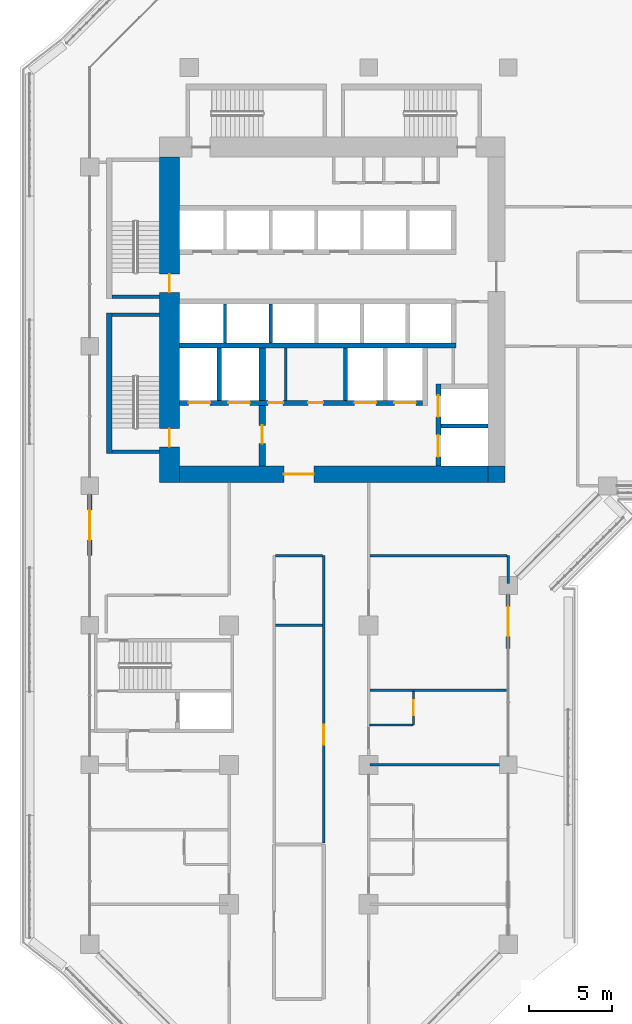
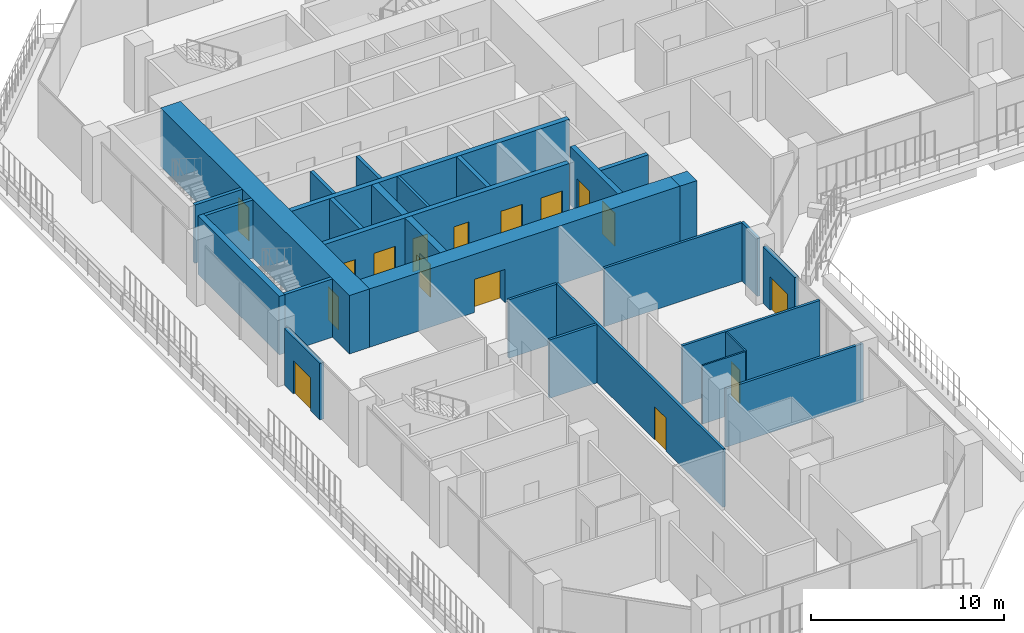
# One storey, part 12 of 23: 29 walls, 16 doors, 16 openings.
"""IFC4 building model written with IfcOpenShell, lengths in metres."""

import ifcopenshell
import ifcopenshell.guid

model = None  # the IFC model being written
_history = None  # IfcOwnerHistory: only IFC2X3 demands one
_inside = {}  # id of a spatial element -> (the spatial element, [elements in it])
_under = {}  # id of a project, library or spatial element -> (it, [spatial elements below it])
_declared = {}  # id of a project -> (the project, [libraries it declares])
_typed = {}  # id of a type object -> (the type object, [elements of that type])
_made_of = {}  # id of a material, layer set ... -> (it, [elements and type objects made of it])


def new_model(schema):
    """Start an empty IFC model of exactly this schema.

    Asked for "IFC4X3", IfcOpenShell would pick the latest addendum, in which some entities
    have other attributes; the version numbers below select the first issue.
    IFC2X3 requires an IfcOwnerHistory on every rooted entity: one is made here for all.
    """
    global model, _history
    if schema == "IFC4X3":
        model = ifcopenshell.file(schema_version=(4, 3, 0, 0))
    else:
        model = ifcopenshell.file(schema=schema)
    _inside.clear()
    _under.clear()
    _declared.clear()
    _typed.clear()
    _made_of.clear()
    _history = None
    if model.schema == "IFC2X3":
        org = make("IfcOrganization", Name="unknown")
        user = make(
            "IfcPersonAndOrganization",
            ThePerson=make("IfcPerson", FamilyName="unknown"),
            TheOrganization=org,
        )
        app = make(
            "IfcApplication",
            ApplicationDeveloper=org,
            Version="unknown",
            ApplicationFullName="unknown",
            ApplicationIdentifier="unknown",
        )
        _history = make(
            "IfcOwnerHistory",
            OwningUser=user,
            OwningApplication=app,
            ChangeAction="ADDED",
            CreationDate=0,
        )
    return model


def make(cls, **values):
    """One entity of the class cls with the attributes given. An attribute that is None is left unset."""
    return model.create_entity(
        cls, **{name: value for name, value in values.items() if value is not None}
    )


def rooted(cls, **values):
    """An entity with a GlobalId (a new one), such as an element, a storey or a relation."""
    return make(cls, GlobalId=ifcopenshell.guid.new(), OwnerHistory=_history, **values)


def si_unit(unit_type, name, prefix=None):
    """IfcSIUnit, for example si_unit("LENGTHUNIT", "METRE", prefix="MILLI")."""
    return make("IfcSIUnit", UnitType=unit_type, Prefix=prefix, Name=name)


def assignment(units):
    """IfcUnitAssignment: the units of a project."""
    return None if units is None else make("IfcUnitAssignment", Units=units)


def point(xyz):
    """IfcCartesianPoint."""
    return None if xyz is None else make("IfcCartesianPoint", Coordinates=xyz)


def direction(xyz):
    """IfcDirection."""
    return None if xyz is None else make("IfcDirection", DirectionRatios=xyz)


def frame(location, z_axis=None, x_axis=None):
    """IfcAxis2Placement3D, a coordinate frame: its origin and axes. An axis left out is left unset."""
    return make(
        "IfcAxis2Placement3D",
        Location=point(location),
        Axis=direction(z_axis),
        RefDirection=direction(x_axis),
    )


def frame_2d(location, x_axis=None):
    """IfcAxis2Placement2D, a coordinate frame in the plane: its origin and x axis."""
    return make(
        "IfcAxis2Placement2D", Location=point(location), RefDirection=direction(x_axis)
    )


def origin():
    """The frame at (0, 0, 0) with its axes left unset."""
    return frame((0.0, 0.0, 0.0))


def place(relative_to, where):
    """IfcLocalPlacement: puts the frame where relative to a parent placement (None: the world)."""
    return make(
        "IfcLocalPlacement", PlacementRelTo=relative_to, RelativePlacement=where
    )


def context(
    kind, dimensions, precision=None, world=None, true_north=None, identifier=None
):
    """IfcGeometricRepresentationContext, for example the 3D "Model" context."""
    return make(
        "IfcGeometricRepresentationContext",
        ContextIdentifier=identifier,
        ContextType=kind,
        CoordinateSpaceDimension=dimensions,
        Precision=precision,
        WorldCoordinateSystem=world,
        TrueNorth=true_north,
    )


def subcontext(parent, identifier, kind, view, scale=None):
    """IfcGeometricRepresentationSubContext, for example "Body" below "Model"."""
    return make(
        "IfcGeometricRepresentationSubContext",
        ContextIdentifier=identifier,
        ContextType=kind,
        ParentContext=parent,
        TargetScale=scale,
        TargetView=view,
    )


def project(units=None, contexts=None):
    """IfcProject with its units and contexts."""
    return rooted(
        "IfcProject",
        Name="project",
        RepresentationContexts=contexts,
        UnitsInContext=assignment(units),
    )


def spatial(cls, under=None, at=None, **own):
    """A site, building, storey or space (cls), placed at a placement, below another one or the project."""
    s = rooted(cls, ObjectPlacement=at, **own)
    if under is not None:
        _under.setdefault(under.id(), (under, []))[1].append(s)
    return s


def profile(cls, at=None, kind="AREA", **sizes):
    """A parametric profile (cls). Its sizes go by their IFC names, for example OverallWidth=200.0."""
    return make(cls, ProfileType=kind, Position=at, **sizes)


def rectangle(**sizes):
    """IfcRectangleProfileDef."""
    return profile("IfcRectangleProfileDef", **sizes)


def extrude(swept, where, along, depth):
    """IfcExtrudedAreaSolid: the profile swept, set in the frame where, extruded along a direction by depth."""
    return make(
        "IfcExtrudedAreaSolid",
        SweptArea=swept,
        Position=where,
        ExtrudedDirection=direction(along),
        Depth=depth,
    )


def shape(context_of_items, identifier, shape_type, items):
    """IfcShapeRepresentation: the items that make up one representation, for example the "Body"."""
    return make(
        "IfcShapeRepresentation",
        ContextOfItems=context_of_items,
        RepresentationIdentifier=identifier,
        RepresentationType=shape_type,
        Items=items,
    )


def material(Name=None, Category=None):
    """IfcMaterial."""
    return make("IfcMaterial", Name=Name, Category=Category)


def layer(
    of_material, thickness, ventilated=None, Name=None, Category=None, Priority=None
):
    """IfcMaterialLayer: one layer of a wall or slab, of a material (None: an air gap)."""
    return make(
        "IfcMaterialLayer",
        Material=of_material,
        LayerThickness=thickness,
        IsVentilated=ventilated,
        Name=Name,
        Category=Category,
        Priority=Priority,
    )


def layer_set(layers, Name=None):
    """IfcMaterialLayerSet."""
    return make("IfcMaterialLayerSet", MaterialLayers=layers, LayerSetName=Name)


def made_of(thing, what):
    """Note that an element or type object is made of a material, layer set ...; save() writes the relation."""
    if what is not None:
        _made_of.setdefault(what.id(), (what, []))[1].append(thing)
    return thing


def type_object(cls, material=None, **own):
    """A type object (cls), such as IfcWallType, which elements share."""
    return made_of(rooted(cls, **own), material)


def element(
    cls,
    number,
    at=None,
    inside=None,
    cuts=None,
    type_object=None,
    material=None,
    context=None,
    identifier="Body",
    shape_type=None,
    held_by="IfcProductDefinitionShape",
    body=None,
    shapes=None,
    **own,
):
    """One element of the class cls, such as IfcWall. Its Tag is "e" and its number.

    at: its placement. inside: the storey or other place that contains it. cuts: it is an
    opening in that element (IfcRelVoidsElement). A single representation is given by context,
    identifier, shape_type and body (its items); several are given by shapes. held_by: the class
    of the entity that holds the representations. save() writes the other relations.
    """
    e = rooted(cls, Tag="e%d" % number, ObjectPlacement=at, **own)
    if body is not None:
        shapes = [shape(context, identifier, shape_type, body)]
    if shapes is not None:
        e.Representation = make(held_by, Representations=shapes)
    if inside is not None:
        _inside.setdefault(inside.id(), (inside, []))[1].append(e)
    if cuts is not None:
        rooted(
            "IfcRelVoidsElement", RelatingBuildingElement=cuts, RelatedOpeningElement=e
        )
    if type_object is not None:
        _typed.setdefault(type_object.id(), (type_object, []))[1].append(e)
    return made_of(e, material)


def fill(opening, filler):
    """IfcRelFillsElement: the door or window that sits in an opening."""
    return rooted(
        "IfcRelFillsElement",
        RelatingOpeningElement=opening,
        RelatedBuildingElement=filler,
    )


def aggregate(whole, parts):
    """IfcRelAggregates: a whole, such as a stair, and the parts it consists of."""
    return rooted("IfcRelAggregates", RelatingObject=whole, RelatedObjects=parts)


def save(model, path):
    """Write the relations noted so far, then the file.

    IfcRelAggregates (storeys below a building ...), IfcRelContainedInSpatialStructure (elements
    in a storey), IfcRelDefinesByType, IfcRelAssociatesMaterial and IfcRelDeclares: one each for
    every whole, place, type object, material and project.
    """
    for whole, parts in _under.values():
        aggregate(whole, parts)
    for where, things in _inside.values():
        rooted(
            "IfcRelContainedInSpatialStructure",
            RelatedElements=things,
            RelatingStructure=where,
        )
    for kind, things in _typed.values():
        rooted("IfcRelDefinesByType", RelatedObjects=things, RelatingType=kind)
    for what, things in _made_of.values():
        rooted("IfcRelAssociatesMaterial", RelatedObjects=things, RelatingMaterial=what)
    for by, libraries in _declared.values():
        rooted("IfcRelDeclares", RelatingContext=by, RelatedDefinitions=libraries)
    model.write(path)


model = new_model("IFC4")

# Units and contexts
model_context = context("Model", 3, precision=1e-05, world=origin(), true_north=direction((0.0, 1.0)))
body_context = subcontext(model_context, "Body", "Model", "MODEL_VIEW")
ifc_project = project(units=[si_unit("LENGTHUNIT", "METRE"), si_unit("AREAUNIT", "SQUARE_METRE"), si_unit("VOLUMEUNIT", "CUBIC_METRE"), si_unit("PLANEANGLEUNIT", "RADIAN"), si_unit("MASSUNIT", "GRAM", prefix="KILO")], contexts=[model_context])

# Site, building, storey
site_placement = place(None, origin())
site = spatial("IfcSite", under=ifc_project, at=site_placement, CompositionType="ELEMENT")
building_placement = place(site_placement, origin())
building = spatial("IfcBuilding", under=site, at=building_placement, Name="Kawkab Arch Medical Tower", CompositionType="ELEMENT")
storey_placement = place(building_placement, frame((0.0, 0.0, 149.199951171875)))
storey = spatial("IfcBuildingStorey", under=building, at=storey_placement, Name="L34", CompositionType="ELEMENT", Elevation=149.199951171875)

# Wall, opening, door
ifc_material_1 = material(Name="Concrete C60/75", Category="concrete")
ifc_layer_1 = layer(ifc_material_1, 1.0)
ifc_layer_set_1 = layer_set([ifc_layer_1], Name="Concrete C60/75")
wall_type_1 = type_object("IfcWallType", Name="Core ring wall 1000 C60/75", PredefinedType="SHEAR", material=ifc_layer_set_1)
wall_1_placement = place(storey_placement, frame((5.39990234375, -24.5, 0.0), z_axis=(0.0, 0.0, 1.0), x_axis=(1.0, 0.0, 0.0)))
wall_1 = element("IfcWall", 1, at=wall_1_placement, inside=storey, type_object=wall_type_1, Name="L34 core wall", PredefinedType="SHEAR", context=body_context, shape_type="SweptSolid", body=[
    extrude(rectangle(XDim=18.60009765625, YDim=1.0, at=frame_2d((9.300048828125, 0.0))), origin(), (0.0, 0.0, 1.0), 3.699951171875),
])
opening_1_placement = place(wall_1_placement, frame((6.300048828125, 0.0, 0.0)))
opening_1 = element("IfcOpeningElement", 2, at=opening_1_placement, cuts=wall_1, Name="Opening PD", PredefinedType="OPENING", context=body_context, shape_type="SweptSolid", body=[
    extrude(rectangle(XDim=1.800048828125, YDim=2.10009765625, at=frame_2d((0.89990234375, 1.050048828125))), frame((0.0, 0.510009765625, 0.0), z_axis=(0.0, -1.0, 0.0), x_axis=(1.0, 0.0, 0.0)), (0.0, 0.0, 1.0), 1.02001953125),
])
ifc_material_2 = material(Name="Hollow metal fire door leaf")
door_type_1 = type_object("IfcDoorType", Name="Core entrance doors 1800", OperationType="DOUBLE_DOOR_SINGLE_SWING", PredefinedType="DOOR", material=ifc_material_2)
door_1_placement = place(opening_1_placement, origin())
door_1 = element("IfcDoor", 3, at=door_1_placement, inside=storey, type_object=door_type_1, Name="L34 South entrance doors", OperationType="DOUBLE_DOOR_SINGLE_SWING", OverallHeight=2.10009765625, OverallWidth=1.800048828125, PredefinedType="DOOR", context=body_context, shape_type="SweptSolid", body=[
    extrude(rectangle(XDim=1.800048828125, YDim=2.10009765625, at=frame_2d((0.89990234375, 1.050048828125))), frame((0.0, 0.02490234375, 0.0), z_axis=(0.0, -1.0, 0.0), x_axis=(1.0, 0.0, 0.0)), (0.0, 0.0, 1.0), 0.050048828125),
])
fill(opening_1, door_1)

# Wall
wall_2_placement = place(storey_placement, frame((24.5, -25.0, 0.0), z_axis=(0.0, 0.0, 1.0), x_axis=(0.0, 1.0, 0.0)))
element("IfcWall", 4, at=wall_2_placement, inside=storey, type_object=wall_type_1, Name="L34 core wall", PredefinedType="SHEAR", context=body_context, shape_type="SweptSolid", body=[
    extrude(rectangle(XDim=1.0, YDim=1.0, at=frame_2d((0.5, 0.0))), origin(), (0.0, 0.0, 1.0), 3.699951171875),
])

# Wall, openings, doors
ifc_material_3 = material(Name="Concrete C60/75", Category="concrete")
ifc_layer_2 = layer(ifc_material_3, 1.199951171875)
ifc_layer_set_2 = layer_set([ifc_layer_2], Name="Concrete C60/75")
wall_type_2 = type_object("IfcWallType", Name="Core ring wall 1200 C60/75", PredefinedType="SHEAR", material=ifc_layer_set_2)
wall_3_placement = place(storey_placement, frame((4.800048828125, -25.0, 0.0), z_axis=(0.0, 0.0, 1.0), x_axis=(0.0, 1.0, 0.0)))
wall_3 = element("IfcWall", 5, at=wall_3_placement, inside=storey, type_object=wall_type_2, Name="L34 core wall", PredefinedType="SHEAR", context=body_context, shape_type="SweptSolid", body=[
    extrude(rectangle(XDim=19.60009765625, YDim=1.199951171875, at=frame_2d((9.800048828125, 0.0))), origin(), (0.0, 0.0, 1.0), 3.699951171875),
])
opening_2_placement = place(wall_3_placement, frame((11.449951171875, 0.0, 0.0)))
opening_2 = element("IfcOpeningElement", 6, at=opening_2_placement, cuts=wall_3, Name="Opening SD", PredefinedType="OPENING", context=body_context, shape_type="SweptSolid", body=[
    extrude(rectangle(XDim=1.10009765625, YDim=2.10009765625, at=frame_2d((0.550048828125, 1.050048828125))), frame((0.0, 0.60986328125, 0.0), z_axis=(0.0, -1.0, 0.0), x_axis=(1.0, 0.0, 0.0)), (0.0, 0.0, 1.0), 1.219970703125),
])
opening_3_placement = place(wall_3_placement, frame((2.14990234375, 0.0, 0.0)))
opening_3 = element("IfcOpeningElement", 7, at=opening_3_placement, cuts=wall_3, Name="Opening SD", PredefinedType="OPENING", context=body_context, shape_type="SweptSolid", body=[
    extrude(rectangle(XDim=1.10009765625, YDim=2.10009765625, at=frame_2d((0.550048828125, 1.050048828125))), frame((0.0, 0.60986328125, 0.0), z_axis=(0.0, -1.0, 0.0), x_axis=(1.0, 0.0, 0.0)), (0.0, 0.0, 1.0), 1.219970703125),
])
ifc_material_4 = material(Name="Hollow metal fire door leaf")
door_type_2 = type_object("IfcDoorType", Name="Exit stair door 1100", OperationType="SINGLE_SWING_LEFT", PredefinedType="DOOR", material=ifc_material_4)
door_2_placement = place(opening_2_placement, origin())
door_2 = element("IfcDoor", 8, at=door_2_placement, inside=storey, type_object=door_type_2, Name="L34 Exit stair ST1 door", OperationType="SINGLE_SWING_LEFT", OverallHeight=2.10009765625, OverallWidth=1.10009765625, PredefinedType="DOOR", context=body_context, shape_type="SweptSolid", body=[
    extrude(rectangle(XDim=1.10009765625, YDim=2.10009765625, at=frame_2d((0.550048828125, 1.050048828125))), frame((0.0, 0.02490234375, 0.0), z_axis=(0.0, -1.0, 0.0), x_axis=(1.0, 0.0, 0.0)), (0.0, 0.0, 1.0), 0.050048828125),
])
fill(opening_2, door_2)
door_3_placement = place(opening_3_placement, origin())
door_3 = element("IfcDoor", 9, at=door_3_placement, inside=storey, type_object=door_type_2, Name="L34 Exit stair ST2 door", OperationType="SINGLE_SWING_LEFT", OverallHeight=2.10009765625, OverallWidth=1.10009765625, PredefinedType="DOOR", context=body_context, shape_type="SweptSolid", body=[
    extrude(rectangle(XDim=1.10009765625, YDim=2.10009765625, at=frame_2d((0.550048828125, 1.050048828125))), frame((0.0, 0.02490234375, 0.0), z_axis=(0.0, -1.0, 0.0), x_axis=(1.0, 0.0, 0.0)), (0.0, 0.0, 1.0), 0.050048828125),
])
fill(opening_3, door_3)

# Walls
ifc_material_5 = material(Name="Gypsum board on steel studs", Category="steel")
ifc_layer_3 = layer(ifc_material_5, 0.14990234375)
ifc_layer_set_3 = layer_set([ifc_layer_3], Name="Gypsum board on steel studs")
wall_type_3 = type_object("IfcWallType", Name="Core room partition 150", PredefinedType="PARTITIONING", material=ifc_layer_set_3)
wall_4_placement = place(storey_placement, frame((11.800048828125, -20.050048828125, 0.0), z_axis=(0.0, 0.0, 1.0), x_axis=(0.0, 1.0, 0.0)))
element("IfcWall", 10, at=wall_4_placement, inside=storey, type_object=wall_type_3, Name="L34 core room partition", PredefinedType="PARTITIONING", context=body_context, shape_type="SweptSolid", body=[
    extrude(rectangle(XDim=3.150146484375, YDim=0.14990234375, at=frame_2d((1.5751953125, 0.0))), origin(), (0.0, 0.0, 1.0), 3.699951171875),
])
ifc_material_6 = material(Name="Concrete C60/75", Category="concrete")
ifc_layer_4 = layer(ifc_material_6, 0.25)
ifc_layer_set_4 = layer_set([ifc_layer_4], Name="Concrete C60/75")
wall_type_4 = type_object("IfcWallType", Name="Core shear wall 250 C60/75", PredefinedType="SHEAR", material=ifc_layer_set_4)
wall_5_placement = place(storey_placement, frame((21.14990234375, -21.60009765625, 0.0), z_axis=(0.0, 0.0, 1.0), x_axis=(1.0, 0.0, 0.0)))
element("IfcWall", 11, at=wall_5_placement, inside=storey, type_object=wall_type_4, Name="L34 core shear wall", PredefinedType="SHEAR", context=body_context, shape_type="SweptSolid", body=[
    extrude(rectangle(XDim=2.85009765625, YDim=0.25, at=frame_2d((1.425048828125, 0.0))), origin(), (0.0, 0.0, 1.0), 3.699951171875),
])
for number, where, z_axis, x_axis, name in (
    (12, (7.800048828125, -20.050048828125, 0.0), (0.0, 0.0, 1.0), (0.0, 1.0, 0.0), "L34 core shear wall"),
    (13, (15.39990234375, -20.050048828125, 0.0), (0.0, 0.0, 1.0), (0.0, 1.0, 0.0), "L34 core shear wall"),
):
    element("IfcWall", number, at=place(storey_placement, frame(where, z_axis=z_axis, x_axis=x_axis)), inside=storey, type_object=wall_type_4, Name=name, PredefinedType="SHEAR", context=body_context, shape_type="SweptSolid", body=[
        extrude(rectangle(XDim=3.150146484375, YDim=0.25, at=frame_2d((1.5751953125, 0.0))), origin(), (0.0, 0.0, 1.0), 3.699951171875),
    ])
ifc_material_7 = material(Name="Concrete C60/75", Category="concrete")
ifc_layer_5 = layer(ifc_material_7, 0.300048828125)
ifc_layer_set_5 = layer_set([ifc_layer_5], Name="Concrete C60/75")
wall_type_5 = type_object("IfcWallType", Name="Core shear wall 300 C60/75", PredefinedType="SHEAR", material=ifc_layer_set_5)
wall_6_placement = place(storey_placement, frame((5.39990234375, -16.75, 0.0), z_axis=(0.0, 0.0, 1.0), x_axis=(1.0, 0.0, 0.0)))
element("IfcWall", 14, at=wall_6_placement, inside=storey, type_object=wall_type_5, Name="L34 core shear wall", PredefinedType="SHEAR", context=body_context, shape_type="SweptSolid", body=[
    extrude(rectangle(XDim=16.650146484375, YDim=0.300048828125, at=frame_2d((8.3251953125, 0.0))), origin(), (0.0, 0.0, 1.0), 3.699951171875),
])

# Wall, openings, doors
wall_7_placement = place(storey_placement, frame((5.39990234375, -20.199951171875, 0.0), z_axis=(0.0, 0.0, 1.0), x_axis=(1.0, 0.0, 0.0)))
wall_7 = element("IfcWall", 15, at=wall_7_placement, inside=storey, type_object=wall_type_5, Name="L34 core shear wall", PredefinedType="SHEAR", context=body_context, shape_type="SweptSolid", body=[
    extrude(rectangle(XDim=14.650146484375, YDim=0.300048828125, at=frame_2d((7.3251953125, 0.0))), origin(), (0.0, 0.0, 1.0), 3.699951171875),
])
opening_4_placement = place(wall_7_placement, frame((10.550048828125, 0.0, 0.0)))
opening_4 = element("IfcOpeningElement", 16, at=opening_4_placement, cuts=wall_7, Name="Opening LD2", PredefinedType="OPENING", context=body_context, shape_type="SweptSolid", body=[
    extrude(rectangle(XDim=1.300048828125, YDim=2.10009765625, at=frame_2d((0.64990234375, 1.050048828125))), frame((0.0, 0.159912109375, 0.0), z_axis=(0.0, -1.0, 0.0), x_axis=(1.0, 0.0, 0.0)), (0.0, 0.0, 1.0), 0.320068359375),
])
opening_5_placement = place(wall_7_placement, frame((12.949951171875, 0.0, 0.0)))
opening_5 = element("IfcOpeningElement", 17, at=opening_5_placement, cuts=wall_7, Name="Opening LD2", PredefinedType="OPENING", context=body_context, shape_type="SweptSolid", body=[
    extrude(rectangle(XDim=1.300048828125, YDim=2.10009765625, at=frame_2d((0.64990234375, 1.050048828125))), frame((0.0, 0.159912109375, 0.0), z_axis=(0.0, -1.0, 0.0), x_axis=(1.0, 0.0, 0.0)), (0.0, 0.0, 1.0), 0.320068359375),
])
opening_6_placement = place(wall_7_placement, frame((0.550048828125, 0.0, 0.0)))
opening_6 = element("IfcOpeningElement", 18, at=opening_6_placement, cuts=wall_7, Name="Opening LD2", PredefinedType="OPENING", context=body_context, shape_type="SweptSolid", body=[
    extrude(rectangle(XDim=1.300048828125, YDim=2.10009765625, at=frame_2d((0.64990234375, 1.050048828125))), frame((0.0, 0.159912109375, 0.0), z_axis=(0.0, -1.0, 0.0), x_axis=(1.0, 0.0, 0.0)), (0.0, 0.0, 1.0), 0.320068359375),
])
opening_7_placement = place(wall_7_placement, frame((2.949951171875, 0.0, 0.0)))
opening_7 = element("IfcOpeningElement", 19, at=opening_7_placement, cuts=wall_7, Name="Opening LD2", PredefinedType="OPENING", context=body_context, shape_type="SweptSolid", body=[
    extrude(rectangle(XDim=1.300048828125, YDim=2.10009765625, at=frame_2d((0.64990234375, 1.050048828125))), frame((0.0, 0.159912109375, 0.0), z_axis=(0.0, -1.0, 0.0), x_axis=(1.0, 0.0, 0.0)), (0.0, 0.0, 1.0), 0.320068359375),
])
opening_8_placement = place(wall_7_placement, frame((5.35009765625, 0.0, 0.0)))
opening_8 = element("IfcOpeningElement", 20, at=opening_8_placement, cuts=wall_7, Name="Opening RD", PredefinedType="OPENING", context=body_context, shape_type="SweptSolid", body=[
    extrude(rectangle(XDim=0.89990234375, YDim=2.10009765625, at=frame_2d((0.449951171875, 1.050048828125))), frame((0.0, 0.159912109375, 0.0), z_axis=(0.0, -1.0, 0.0), x_axis=(1.0, 0.0, 0.0)), (0.0, 0.0, 1.0), 0.320068359375),
])
opening_9_placement = place(wall_7_placement, frame((7.75, 0.0, 0.0)))
opening_9 = element("IfcOpeningElement", 21, at=opening_9_placement, cuts=wall_7, Name="Opening RD", PredefinedType="OPENING", context=body_context, shape_type="SweptSolid", body=[
    extrude(rectangle(XDim=0.89990234375, YDim=2.10009765625, at=frame_2d((0.449951171875, 1.050048828125))), frame((0.0, 0.159912109375, 0.0), z_axis=(0.0, -1.0, 0.0), x_axis=(1.0, 0.0, 0.0)), (0.0, 0.0, 1.0), 0.320068359375),
])
ifc_material_8 = material(Name="Hollow metal fire door leaf")
door_type_3 = type_object("IfcDoorType", Name="Core room door 900", OperationType="SINGLE_SWING_LEFT", PredefinedType="DOOR", material=ifc_material_8)
door_4_placement = place(opening_8_placement, origin())
door_4 = element("IfcDoor", 22, at=door_4_placement, inside=storey, type_object=door_type_3, Name="L34 Equipment store door", OperationType="SINGLE_SWING_LEFT", OverallHeight=2.10009765625, OverallWidth=0.89990234375, PredefinedType="DOOR", context=body_context, shape_type="SweptSolid", body=[
    extrude(rectangle(XDim=0.89990234375, YDim=2.10009765625, at=frame_2d((0.449951171875, 1.050048828125))), frame((0.0, 0.02490234375, 0.0), z_axis=(0.0, -1.0, 0.0), x_axis=(1.0, 0.0, 0.0)), (0.0, 0.0, 1.0), 0.050048828125),
])
fill(opening_8, door_4)
door_5_placement = place(opening_9_placement, origin())
door_5 = element("IfcDoor", 23, at=door_5_placement, inside=storey, type_object=door_type_3, Name="L34 Medication store door", OperationType="SINGLE_SWING_LEFT", OverallHeight=2.10009765625, OverallWidth=0.89990234375, PredefinedType="DOOR", context=body_context, shape_type="SweptSolid", body=[
    extrude(rectangle(XDim=0.89990234375, YDim=2.10009765625, at=frame_2d((0.449951171875, 1.050048828125))), frame((0.0, 0.02490234375, 0.0), z_axis=(0.0, -1.0, 0.0), x_axis=(1.0, 0.0, 0.0)), (0.0, 0.0, 1.0), 0.050048828125),
])
fill(opening_9, door_5)
ifc_material_9 = material(Name="Stainless steel lift door leaf", Category="steel")
door_type_4 = type_object("IfcDoorType", Name="Lift landing door 1300", OperationType="DOUBLE_DOOR_SLIDING", PredefinedType="DOOR", material=ifc_material_9)
door_6_placement = place(opening_4_placement, origin())
door_6 = element("IfcDoor", 24, at=door_6_placement, inside=storey, type_object=door_type_4, Name="L34 Lift landing door BD3", OperationType="DOUBLE_DOOR_SLIDING", OverallHeight=2.10009765625, OverallWidth=1.300048828125, PredefinedType="DOOR", context=body_context, shape_type="SweptSolid", body=[
    extrude(rectangle(XDim=1.300048828125, YDim=2.10009765625, at=frame_2d((0.64990234375, 1.050048828125))), frame((0.0, 0.02490234375, 0.0), z_axis=(0.0, -1.0, 0.0), x_axis=(1.0, 0.0, 0.0)), (0.0, 0.0, 1.0), 0.050048828125),
])
fill(opening_4, door_6)
door_7_placement = place(opening_5_placement, origin())
door_7 = element("IfcDoor", 25, at=door_7_placement, inside=storey, type_object=door_type_4, Name="L34 Lift landing door BD4", OperationType="DOUBLE_DOOR_SLIDING", OverallHeight=2.10009765625, OverallWidth=1.300048828125, PredefinedType="DOOR", context=body_context, shape_type="SweptSolid", body=[
    extrude(rectangle(XDim=1.300048828125, YDim=2.10009765625, at=frame_2d((0.64990234375, 1.050048828125))), frame((0.0, 0.02490234375, 0.0), z_axis=(0.0, -1.0, 0.0), x_axis=(1.0, 0.0, 0.0)), (0.0, 0.0, 1.0), 0.050048828125),
])
fill(opening_5, door_7)
door_8_placement = place(opening_6_placement, origin())
door_8 = element("IfcDoor", 26, at=door_8_placement, inside=storey, type_object=door_type_4, Name="L34 Lift landing door FL1", OperationType="DOUBLE_DOOR_SLIDING", OverallHeight=2.10009765625, OverallWidth=1.300048828125, PredefinedType="DOOR", context=body_context, shape_type="SweptSolid", body=[
    extrude(rectangle(XDim=1.300048828125, YDim=2.10009765625, at=frame_2d((0.64990234375, 1.050048828125))), frame((0.0, 0.02490234375, 0.0), z_axis=(0.0, -1.0, 0.0), x_axis=(1.0, 0.0, 0.0)), (0.0, 0.0, 1.0), 0.050048828125),
])
fill(opening_6, door_8)
door_9_placement = place(opening_7_placement, origin())
door_9 = element("IfcDoor", 27, at=door_9_placement, inside=storey, type_object=door_type_4, Name="L34 Lift landing door FL2", OperationType="DOUBLE_DOOR_SLIDING", OverallHeight=2.10009765625, OverallWidth=1.300048828125, PredefinedType="DOOR", context=body_context, shape_type="SweptSolid", body=[
    extrude(rectangle(XDim=1.300048828125, YDim=2.10009765625, at=frame_2d((0.64990234375, 1.050048828125))), frame((0.0, 0.02490234375, 0.0), z_axis=(0.0, -1.0, 0.0), x_axis=(1.0, 0.0, 0.0)), (0.0, 0.0, 1.0), 0.050048828125),
])
fill(opening_7, door_9)

wall_8_placement = place(storey_placement, frame((21.0, -24.0, 0.0), z_axis=(0.0, 0.0, 1.0), x_axis=(0.0, 1.0, 0.0)))
wall_8 = element("IfcWall", 28, at=wall_8_placement, inside=storey, type_object=wall_type_5, Name="L34 core shear wall", PredefinedType="SHEAR", context=body_context, shape_type="SweptSolid", body=[
    extrude(rectangle(XDim=4.949951171875, YDim=0.300048828125, at=frame_2d((2.47509765625, 0.0))), origin(), (0.0, 0.0, 1.0), 3.699951171875),
])
opening_10_placement = place(wall_8_placement, frame((2.949951171875, 0.0, 0.0)))
opening_10 = element("IfcOpeningElement", 29, at=opening_10_placement, cuts=wall_8, Name="Opening LD2", PredefinedType="OPENING", context=body_context, shape_type="SweptSolid", body=[
    extrude(rectangle(XDim=1.300048828125, YDim=2.10009765625, at=frame_2d((0.64990234375, 1.050048828125))), frame((0.0, 0.159912109375, 0.0), z_axis=(0.0, -1.0, 0.0), x_axis=(1.0, 0.0, 0.0)), (0.0, 0.0, 1.0), 0.320068359375),
])
opening_11_placement = place(wall_8_placement, frame((0.550048828125, 0.0, 0.0)))
opening_11 = element("IfcOpeningElement", 30, at=opening_11_placement, cuts=wall_8, Name="Opening LD2", PredefinedType="OPENING", context=body_context, shape_type="SweptSolid", body=[
    extrude(rectangle(XDim=1.300048828125, YDim=2.10009765625, at=frame_2d((0.64990234375, 1.050048828125))), frame((0.0, 0.159912109375, 0.0), z_axis=(0.0, -1.0, 0.0), x_axis=(1.0, 0.0, 0.0)), (0.0, 0.0, 1.0), 0.320068359375),
])
door_10_placement = place(opening_10_placement, origin())
door_10 = element("IfcDoor", 31, at=door_10_placement, inside=storey, type_object=door_type_4, Name="L34 Lift landing door BD1", OperationType="DOUBLE_DOOR_SLIDING", OverallHeight=2.10009765625, OverallWidth=1.300048828125, PredefinedType="DOOR", context=body_context, shape_type="SweptSolid", body=[
    extrude(rectangle(XDim=1.300048828125, YDim=2.10009765625, at=frame_2d((0.64990234375, 1.050048828125))), frame((0.0, 0.02490234375, 0.0), z_axis=(0.0, -1.0, 0.0), x_axis=(1.0, 0.0, 0.0)), (0.0, 0.0, 1.0), 0.050048828125),
])
fill(opening_10, door_10)
door_11_placement = place(opening_11_placement, origin())
door_11 = element("IfcDoor", 32, at=door_11_placement, inside=storey, type_object=door_type_4, Name="L34 Lift landing door BD2", OperationType="DOUBLE_DOOR_SLIDING", OverallHeight=2.10009765625, OverallWidth=1.300048828125, PredefinedType="DOOR", context=body_context, shape_type="SweptSolid", body=[
    extrude(rectangle(XDim=1.300048828125, YDim=2.10009765625, at=frame_2d((0.64990234375, 1.050048828125))), frame((0.0, 0.02490234375, 0.0), z_axis=(0.0, -1.0, 0.0), x_axis=(1.0, 0.0, 0.0)), (0.0, 0.0, 1.0), 0.050048828125),
])
fill(opening_11, door_11)

# Wall, opening, door
ifc_material_10 = material(Name="Concrete C60/75", Category="concrete")
ifc_layer_6 = layer(ifc_material_10, 0.39990234375)
ifc_layer_set_6 = layer_set([ifc_layer_6], Name="Concrete C60/75")
wall_type_6 = type_object("IfcWallType", Name="Core shear wall 400 C60/75", PredefinedType="SHEAR", material=ifc_layer_set_6)
wall_9_placement = place(storey_placement, frame((10.39990234375, -24.0, 0.0), z_axis=(0.0, 0.0, 1.0), x_axis=(0.0, 1.0, 0.0)))
wall_9 = element("IfcWall", 33, at=wall_9_placement, inside=storey, type_object=wall_type_6, Name="L34 core shear wall", PredefinedType="SHEAR", context=body_context, shape_type="SweptSolid", body=[
    extrude(rectangle(XDim=3.64990234375, YDim=0.39990234375, at=frame_2d((1.824951171875, 0.0))), origin(), (0.0, 0.0, 1.0), 3.699951171875),
])
opening_12_placement = place(wall_9_placement, frame((1.35009765625, 0.0, 0.0)))
opening_12 = element("IfcOpeningElement", 34, at=opening_12_placement, cuts=wall_9, Name="Opening FD", PredefinedType="OPENING", context=body_context, shape_type="SweptSolid", body=[
    extrude(rectangle(XDim=1.10009765625, YDim=2.10009765625, at=frame_2d((0.550048828125, 1.050048828125))), frame((0.0, 0.2099609375, 0.0), z_axis=(0.0, -1.0, 0.0), x_axis=(1.0, 0.0, 0.0)), (0.0, 0.0, 1.0), 0.419921875),
])
ifc_material_11 = material(Name="Hollow metal fire door leaf")
door_type_5 = type_object("IfcDoorType", Name="Firefighting lobby door 1100", OperationType="SINGLE_SWING_LEFT", PredefinedType="DOOR", material=ifc_material_11)
door_12_placement = place(opening_12_placement, origin())
door_12 = element("IfcDoor", 35, at=door_12_placement, inside=storey, type_object=door_type_5, Name="L34 Firefighting lobby door", OperationType="SINGLE_SWING_LEFT", OverallHeight=2.10009765625, OverallWidth=1.10009765625, PredefinedType="DOOR", context=body_context, shape_type="SweptSolid", body=[
    extrude(rectangle(XDim=1.10009765625, YDim=2.10009765625, at=frame_2d((0.550048828125, 1.050048828125))), frame((0.0, 0.02490234375, 0.0), z_axis=(0.0, -1.0, 0.0), x_axis=(1.0, 0.0, 0.0)), (0.0, 0.0, 1.0), 0.050048828125),
])
fill(opening_12, door_12)

# Wall
wall_10_placement = place(storey_placement, frame((10.39990234375, -20.050048828125, 0.0), z_axis=(0.0, 0.0, 1.0), x_axis=(0.0, 1.0, 0.0)))
element("IfcWall", 36, at=wall_10_placement, inside=storey, type_object=wall_type_6, Name="L34 core shear wall", PredefinedType="SHEAR", context=body_context, shape_type="SweptSolid", body=[
    extrude(rectangle(XDim=3.150146484375, YDim=0.39990234375, at=frame_2d((1.5751953125, 0.0))), origin(), (0.0, 0.0, 1.0), 3.699951171875),
])

# Wall, opening, door
ifc_material_12 = material(Name="Bronze clad insulated wall panel")
ifc_layer_7 = layer(ifc_material_12, 0.25)
ifc_layer_set_7 = layer_set([ifc_layer_7], Name="Bronze clad insulated wall panel")
wall_type_7 = type_object("IfcWallType", Name="External wall bay 250", PredefinedType="SOLIDWALL", material=ifc_layer_set_7)
wall_11_placement = place(storey_placement, frame((0.0, -25.72509765625, 0.0), z_axis=(0.0, 0.0, 1.0), x_axis=(0.0, -1.0, 0.0)))
wall_11 = element("IfcWall", 37, at=wall_11_placement, inside=storey, type_object=wall_type_7, Name="External wall bay L34.R01.4.1", PredefinedType="SOLIDWALL", context=body_context, shape_type="SweptSolid", body=[
    extrude(rectangle(XDim=3.6748046875, YDim=0.25, at=frame_2d((1.83740234375, 0.0))), origin(), (0.0, 0.0, 1.0), 3.580078125),
])
opening_13_placement = place(wall_11_placement, frame((0.9375, 0.0, 0.0)))
opening_13 = element("IfcOpeningElement", 38, at=opening_13_placement, cuts=wall_11, Name="Opening W29-701", PredefinedType="OPENING", context=body_context, shape_type="SweptSolid", body=[
    extrude(rectangle(XDim=1.800048828125, YDim=2.10009765625, at=frame_2d((0.89990234375, 1.050048828125))), frame((0.0, 0.135009765625, 0.0), z_axis=(0.0, -1.0, 0.0), x_axis=(1.0, 0.0, 0.0)), (0.0, 0.0, 1.0), 0.27001953125),
])
ifc_material_13 = material(Name="Bronze anodised aluminium door with tinted glass", Category="aluminium")
door_type_6 = type_object("IfcDoorType", Name="Double external door 1800 x 2100", OperationType="DOUBLE_DOOR_SINGLE_SWING", PredefinedType="DOOR", material=ifc_material_13)
door_13_placement = place(opening_13_placement, origin())
door_13 = element("IfcDoor", 39, at=door_13_placement, inside=storey, type_object=door_type_6, Name="External door L34.R01.4.1", OperationType="DOUBLE_DOOR_SINGLE_SWING", OverallHeight=2.10009765625, OverallWidth=1.800048828125, PredefinedType="DOOR", context=body_context, shape_type="SweptSolid", body=[
    extrude(rectangle(XDim=1.800048828125, YDim=2.10009765625, at=frame_2d((0.89990234375, 1.050048828125))), frame((0.0, 0.02490234375, 0.0), z_axis=(0.0, -1.0, 0.0), x_axis=(1.0, 0.0, 0.0)), (0.0, 0.0, 1.0), 0.050048828125),
])
fill(opening_13, door_13)

wall_12_placement = place(storey_placement, frame((25.199951171875, -34.99169921875, 0.0), z_axis=(0.0, 0.0, 1.0), x_axis=(0.0, 1.0, 0.0)))
wall_12 = element("IfcWall", 40, at=wall_12_placement, inside=storey, type_object=wall_type_7, Name="External wall bay L34.R05.2.3", PredefinedType="SOLIDWALL", context=body_context, shape_type="SweptSolid", body=[
    extrude(rectangle(XDim=3.24169921875, YDim=0.25, at=frame_2d((1.620849609375, 0.0))), origin(), (0.0, 0.0, 1.0), 3.580078125),
])
opening_14_placement = place(wall_12_placement, frame((0.720703125, 0.0, 0.0)))
opening_14 = element("IfcOpeningElement", 41, at=opening_14_placement, cuts=wall_12, Name="Opening W29-701", PredefinedType="OPENING", context=body_context, shape_type="SweptSolid", body=[
    extrude(rectangle(XDim=1.800048828125, YDim=2.10009765625, at=frame_2d((0.89990234375, 1.050048828125))), frame((0.0, 0.135009765625, 0.0), z_axis=(0.0, -1.0, 0.0), x_axis=(1.0, 0.0, 0.0)), (0.0, 0.0, 1.0), 0.27001953125),
])
door_14_placement = place(opening_14_placement, origin())
door_14 = element("IfcDoor", 42, at=door_14_placement, inside=storey, type_object=door_type_6, Name="External door L34.R05.2.3", OperationType="DOUBLE_DOOR_SINGLE_SWING", OverallHeight=2.10009765625, OverallWidth=1.800048828125, PredefinedType="DOOR", context=body_context, shape_type="SweptSolid", body=[
    extrude(rectangle(XDim=1.800048828125, YDim=2.10009765625, at=frame_2d((0.89990234375, 1.050048828125))), frame((0.0, 0.02490234375, 0.0), z_axis=(0.0, -1.0, 0.0), x_axis=(1.0, 0.0, 0.0)), (0.0, 0.0, 1.0), 0.050048828125),
])
fill(opening_14, door_14)

# Walls
ifc_material_14 = material(Name="Dense concrete blockwork", Category="masonry")
ifc_layer_8 = layer(ifc_material_14, 0.199951171875)
ifc_layer_set_8 = layer_set([ifc_layer_8], Name="Dense concrete blockwork")
wall_type_8 = type_object("IfcWallType", Name="Lift shaft partition 200", PredefinedType="PARTITIONING", material=ifc_layer_set_8)
for number, where, z_axis, x_axis, name in (
    (43, (8.14990234375, -16.60009765625, 0.0), (0.0, 0.0, 1.0), (0.0, 1.0, 0.0), "L34 lift shaft partition"),
    (44, (10.89990234375, -16.60009765625, 0.0), (0.0, 0.0, 1.0), (0.0, 1.0, 0.0), "L34 lift shaft partition"),
):
    element("IfcWall", number, at=place(storey_placement, frame(where, z_axis=z_axis, x_axis=x_axis)), inside=storey, type_object=wall_type_8, Name=name, PredefinedType="PARTITIONING", context=body_context, shape_type="SweptSolid", body=[
        extrude(rectangle(XDim=2.35009765625, YDim=0.199951171875, at=frame_2d((1.175048828125, 0.0))), origin(), (0.0, 0.0, 1.0), 3.699951171875),
    ])
ifc_material_15 = material(Name="Gypsum board partition on steel studs", Category="steel")
ifc_layer_9 = layer(ifc_material_15, 0.10009765625)
ifc_layer_set_9 = layer_set([ifc_layer_9], Name="Gypsum board partition on steel studs")
wall_type_9 = type_object("IfcWallType", Name="Partition 100", PredefinedType="PARTITIONING", material=ifc_layer_set_9)
wall_13_placement = place(storey_placement, frame((16.875, -39.60009765625, 0.0), z_axis=(0.0, 0.0, 1.0), x_axis=(1.0, 0.0, 0.0)))
element("IfcWall", 45, at=wall_13_placement, inside=storey, type_object=wall_type_9, Name="Partition 100 w004", PredefinedType="PARTITIONING", context=body_context, shape_type="SweptSolid", body=[
    extrude(rectangle(XDim=2.574951171875, YDim=0.10009765625, at=frame_2d((1.28759765625, 0.0))), origin(), (0.0, 0.0, 1.0), 3.699951171875),
])

# Wall, opening, door
wall_14_placement = place(storey_placement, frame((19.5, -39.60009765625, 0.0), z_axis=(0.0, 0.0, 1.0), x_axis=(0.0, 1.0, 0.0)))
wall_14 = element("IfcWall", 46, at=wall_14_placement, inside=storey, type_object=wall_type_9, Name="Partition 100 w013", PredefinedType="PARTITIONING", context=body_context, shape_type="SweptSolid", body=[
    extrude(rectangle(XDim=2.025146484375, YDim=0.10009765625, at=frame_2d((1.0126953125, 0.0))), origin(), (0.0, 0.0, 1.0), 3.699951171875),
])
opening_15_placement = place(wall_14_placement, frame((0.60009765625, 0.0, 0.0)))
opening_15 = element("IfcOpeningElement", 47, at=opening_15_placement, cuts=wall_14, Name="Opening W29-020", PredefinedType="OPENING", context=body_context, shape_type="SweptSolid", body=[
    extrude(rectangle(XDim=0.89990234375, YDim=2.10009765625, at=frame_2d((0.449951171875, 1.050048828125))), frame((0.0, 0.06005859375, 0.0), z_axis=(0.0, -1.0, 0.0), x_axis=(1.0, 0.0, 0.0)), (0.0, 0.0, 1.0), 0.1201171875),
])
ifc_material_16 = material(Name="Timber door leaf", Category="wood")
door_type_7 = type_object("IfcDoorType", Name="Single door 900x2100", OperationType="NOTDEFINED", PredefinedType="DOOR", material=ifc_material_16)
door_15_placement = place(opening_15_placement, origin())
door_15 = element("IfcDoor", 48, at=door_15_placement, inside=storey, type_object=door_type_7, Name="Door W29-020", OperationType="SINGLE_SWING_LEFT", OverallHeight=2.10009765625, OverallWidth=0.89990234375, PredefinedType="DOOR", context=body_context, shape_type="SweptSolid", body=[
    extrude(rectangle(XDim=0.89990234375, YDim=2.10009765625, at=frame_2d((0.449951171875, 1.050048828125))), frame((0.0, 0.02490234375, 0.0), z_axis=(0.0, -1.0, 0.0), x_axis=(1.0, 0.0, 0.0)), (0.0, 0.0, 1.0), 0.050048828125),
])
fill(opening_15, door_15)

# Walls
ifc_material_17 = material(Name="Gypsum board partition on steel studs, mineral wool", Category="steel")
ifc_layer_10 = layer(ifc_material_17, 0.14990234375)
ifc_layer_set_10 = layer_set([ifc_layer_10], Name="Gypsum board partition on steel studs, mineral wool")
wall_type_10 = type_object("IfcWallType", Name="Partition 150", PredefinedType="PARTITIONING", material=ifc_layer_set_10)
for number, where, z_axis, x_axis, name in (
    (49, (16.875, -42.0, 0.0), (0.0, 0.0, 1.0), (1.0, 0.0, 0.0), "Partition 150 w028"),
    (50, (16.875, -37.5, 0.0), (0.0, 0.0, 1.0), (1.0, 0.0, 0.0), "Partition 150 w030"),
):
    element("IfcWall", number, at=place(storey_placement, frame(where, z_axis=z_axis, x_axis=x_axis)), inside=storey, type_object=wall_type_10, Name=name, PredefinedType="PARTITIONING", context=body_context, shape_type="SweptSolid", body=[
        extrude(rectangle(XDim=8.2451171875, YDim=0.14990234375, at=frame_2d((4.12255859375, 0.0))), origin(), (0.0, 0.0, 1.0), 3.699951171875),
    ])
for number, where, z_axis, x_axis, name in (
    (51, (11.175048828125, -33.60009765625, 0.0), (0.0, 0.0, 1.0), (1.0, 0.0, 0.0), "Partition 150 w031"),
    (52, (11.175048828125, -29.39990234375, 0.0), (0.0, 0.0, 1.0), (1.0, 0.0, 0.0), "Partition 150 w033"),
):
    element("IfcWall", number, at=place(storey_placement, frame(where, z_axis=z_axis, x_axis=x_axis)), inside=storey, type_object=wall_type_10, Name=name, PredefinedType="PARTITIONING", context=body_context, shape_type="SweptSolid", body=[
        extrude(rectangle(XDim=2.849853515625, YDim=0.14990234375, at=frame_2d((1.4248046875, 0.0))), origin(), (0.0, 0.0, 1.0), 3.699951171875),
    ])
wall_15_placement = place(storey_placement, frame((16.875, -29.39990234375, 0.0), z_axis=(0.0, 0.0, 1.0), x_axis=(1.0, 0.0, 0.0)))
element("IfcWall", 53, at=wall_15_placement, inside=storey, type_object=wall_type_10, Name="Partition 150 w034", PredefinedType="PARTITIONING", context=body_context, shape_type="SweptSolid", body=[
    extrude(rectangle(XDim=8.25, YDim=0.14990234375, at=frame_2d((4.125, 0.0))), origin(), (0.0, 0.0, 1.0), 3.699951171875),
])

# Wall, opening, door
wall_16_placement = place(storey_placement, frame((14.10009765625, -46.699951171875, 0.0), z_axis=(0.0, 0.0, 1.0), x_axis=(0.0, 1.0, 0.0)))
wall_16 = element("IfcWall", 54, at=wall_16_placement, inside=storey, type_object=wall_type_10, Name="Partition 150 w056", PredefinedType="PARTITIONING", context=body_context, shape_type="SweptSolid", body=[
    extrude(rectangle(XDim=17.300048828125, YDim=0.14990234375, at=frame_2d((8.64990234375, 0.0))), origin(), (0.0, 0.0, 1.0), 3.699951171875),
])
opening_16_placement = place(wall_16_placement, frame((5.89990234375, 0.0, 0.0)))
opening_16 = element("IfcOpeningElement", 55, at=opening_16_placement, cuts=wall_16, Name="Opening W29-045", PredefinedType="OPENING", context=body_context, shape_type="SweptSolid", body=[
    extrude(rectangle(XDim=1.199951171875, YDim=2.10009765625, at=frame_2d((0.60009765625, 1.050048828125))), frame((0.0, 0.0849609375, 0.0), z_axis=(0.0, -1.0, 0.0), x_axis=(1.0, 0.0, 0.0)), (0.0, 0.0, 1.0), 0.169921875),
])
ifc_material_18 = material(Name="Hollow metal door leaf")
door_type_8 = type_object("IfcDoorType", Name="Single door 1200x2100 FD30S", OperationType="NOTDEFINED", PredefinedType="DOOR", material=ifc_material_18)
door_16_placement = place(opening_16_placement, origin())
door_16 = element("IfcDoor", 56, at=door_16_placement, inside=storey, type_object=door_type_8, Name="Door W29-045", OperationType="SINGLE_SWING_LEFT", OverallHeight=2.10009765625, OverallWidth=1.199951171875, PredefinedType="DOOR", context=body_context, shape_type="SweptSolid", body=[
    extrude(rectangle(XDim=1.199951171875, YDim=2.10009765625, at=frame_2d((0.60009765625, 1.050048828125))), frame((0.0, 0.02490234375, 0.0), z_axis=(0.0, -1.0, 0.0), x_axis=(1.0, 0.0, 0.0)), (0.0, 0.0, 1.0), 0.050048828125),
])
fill(opening_16, door_16)

# Walls
wall_17_placement = place(storey_placement, frame((25.199951171875, -31.0869140625, 0.0), z_axis=(0.0, 0.0, 1.0), x_axis=(0.0, 1.0, 0.0)))
element("IfcWall", 57, at=wall_17_placement, inside=storey, type_object=wall_type_10, Name="Partition 150 w058", PredefinedType="PARTITIONING", context=body_context, shape_type="SweptSolid", body=[
    extrude(rectangle(XDim=1.68701171875, YDim=0.14990234375, at=frame_2d((0.843505859375, 0.0))), origin(), (0.0, 0.0, 1.0), 3.699951171875),
])
ifc_material_19 = material(Name="Concrete C50/60", Category="concrete")
ifc_layer_11 = layer(ifc_material_19, 0.199951171875)
ifc_layer_set_11 = layer_set([ifc_layer_11], Name="Concrete C50/60")
wall_type_11 = type_object("IfcWallType", Name="Stair enclosure wall 200 C50/60", PredefinedType="SHEAR", material=ifc_layer_set_11)
for number, where, z_axis, x_axis, name in (
    (58, (1.35009765625, -13.800048828125, 0.0), (0.0, 0.0, 1.0), (1.0, 0.0, 0.0), "L34 stair enclosure wall"),
    (59, (1.35009765625, -14.89990234375, 0.0), (0.0, 0.0, 1.0), (1.0, 0.0, 0.0), "L34 stair enclosure wall"),
    (60, (1.35009765625, -23.14990234375, 0.0), (0.0, 0.0, 1.0), (1.0, 0.0, 0.0), "L34 stair enclosure wall"),
):
    element("IfcWall", number, at=place(storey_placement, frame(where, z_axis=z_axis, x_axis=x_axis)), inside=storey, type_object=wall_type_11, Name=name, PredefinedType="SHEAR", context=body_context, shape_type="SweptSolid", body=[
        extrude(rectangle(XDim=2.849853515625, YDim=0.199951171875, at=frame_2d((1.4248046875, 0.0))), origin(), (0.0, 0.0, 1.0), 3.699951171875),
    ])
ifc_material_20 = material(Name="Concrete C50/60", Category="concrete")
ifc_layer_12 = layer(ifc_material_20, 0.35009765625)
ifc_layer_set_12 = layer_set([ifc_layer_12], Name="Concrete C50/60")
wall_type_12 = type_object("IfcWallType", Name="Stair enclosure wall 350 C50/60", PredefinedType="SHEAR", material=ifc_layer_set_12)
wall_18_placement = place(storey_placement, frame((1.175048828125, -23.25, 0.0), z_axis=(0.0, 0.0, 1.0), x_axis=(0.0, 1.0, 0.0)))
element("IfcWall", 61, at=wall_18_placement, inside=storey, type_object=wall_type_12, Name="L34 stair enclosure wall", PredefinedType="SHEAR", context=body_context, shape_type="SweptSolid", body=[
    extrude(rectangle(XDim=8.449951171875, YDim=0.35009765625, at=frame_2d((4.22509765625, 0.0))), origin(), (0.0, 0.0, 1.0), 3.699951171875),
])

save(model, "model.ifc")
